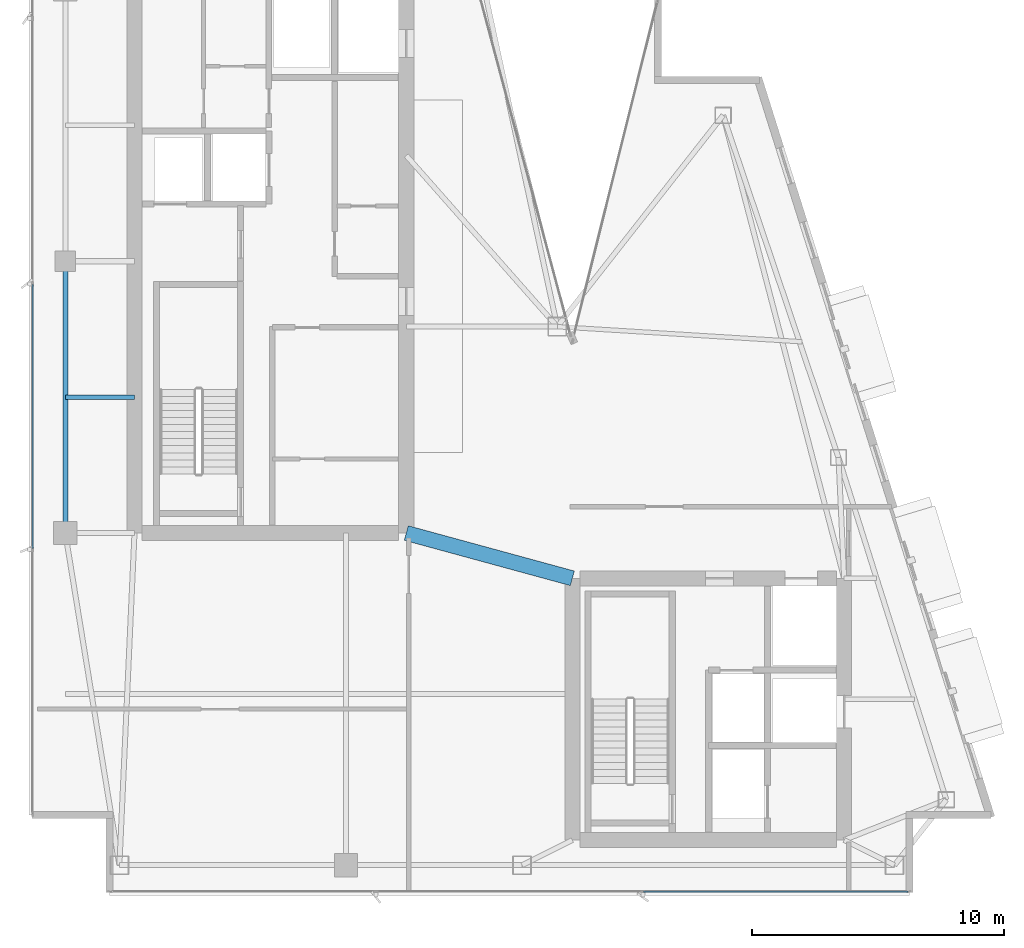
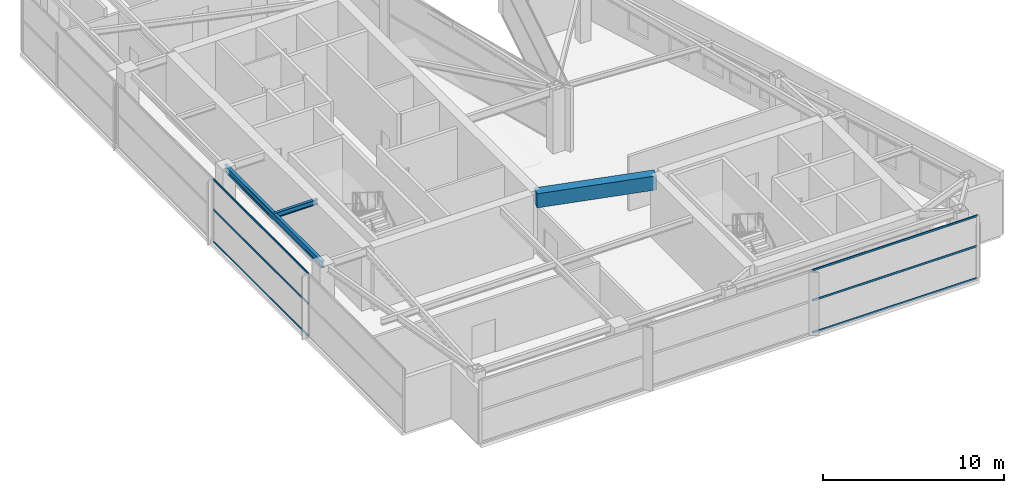
# One storey, part 8 of 25: 6 members, 3 beams, 2 elements without a shape of their own.
"""IFC4 building model written with IfcOpenShell, lengths in metres."""

from ifc_helpers import new_model, si_unit, direction, frame, origin, origin_2d, place, context, subcontext, project, spatial, rectangle, hollow_rectangle, i_section, extrude, material, layer, layer_set, material_profile, profile_set, type_object, element, aggregate, save


model = new_model("IFC4")

# Units and contexts
model_context = context("Model", 3, precision=1e-05, world=origin(), true_north=direction((0.0, 1.0)))
body_context = subcontext(model_context, "Body", "Model", "MODEL_VIEW")
ifc_project = project(units=[si_unit("LENGTHUNIT", "METRE"), si_unit("AREAUNIT", "SQUARE_METRE"), si_unit("VOLUMEUNIT", "CUBIC_METRE"), si_unit("PLANEANGLEUNIT", "RADIAN"), si_unit("MASSUNIT", "GRAM", prefix="KILO")], contexts=[model_context])

# Site, building, storey
site_placement = place(None, origin())
site = spatial("IfcSite", under=ifc_project, at=site_placement, CompositionType="ELEMENT")
building_placement = place(site_placement, origin())
building = spatial("IfcBuilding", under=site, at=building_placement, Name="Calvorn Quay Hotel", CompositionType="ELEMENT")
storey_placement = place(building_placement, frame((0.0, 0.0, 311.5)))
storey = spatial("IfcBuildingStorey", under=building, at=storey_placement, Name="L77", CompositionType="ELEMENT", Elevation=311.5)

# Beams
ifc_material_1 = material(Name="Steel Q355B", Category="steel")
ifc_material_profile_1 = material_profile(ifc_material_1, i_section(OverallWidth=0.175048828125, OverallDepth=0.35009765625, WebThickness=0.007080078125, FlangeThickness=0.010986328125, FilletRadius=0.013916015625, at=origin_2d()), Name="HN350x175x7x11")
ifc_profile_set_1 = profile_set([ifc_material_profile_1], Name="Steel Q355B")
beam_type_1 = type_object("IfcBeamType", Name="BM-JOIST-SEC", PredefinedType="JOIST", material=ifc_profile_set_1)
beam_1_placement = place(storey_placement, frame((1.449951171875, 22.199951171875, 4.06494140625), z_axis=(1.0, 0.0, 0.0), x_axis=(0.0, 1.0, 0.0)))
element("IfcBeam", 1, at=beam_1_placement, inside=storey, type_object=beam_type_1, Name="Beam BJ-L77-W3", PredefinedType="JOIST", context=body_context, shape_type="SweptSolid", body=[
    extrude(i_section(OverallWidth=0.175048828125, OverallDepth=0.35009765625, WebThickness=0.007080078125, FlangeThickness=0.010986328125, FilletRadius=0.013916015625, at=origin_2d()), origin(), (0.0, 0.0, 1.0), 2.75),
])
ifc_material_2 = material(Name="Concrete C45", Category="concrete")
ifc_material_profile_2 = material_profile(ifc_material_2, rectangle(XDim=0.60009765625, YDim=0.949951171875, at=origin_2d()), Name="RCB600x950")
ifc_profile_set_2 = profile_set([ifc_material_profile_2], Name="Concrete C45")
beam_type_2 = type_object("IfcBeamType", Name="BM-RC-LINK-600x950", PredefinedType="BEAM", material=ifc_profile_set_2)
beam_2_placement = place(storey_placement, frame((15.0, 16.800048828125, 3.764892578125), z_axis=(0.964762997686, -0.263120425462, 0.0), x_axis=(0.263120425462, 0.964762997686, 0.0)))
element("IfcBeam", 2, at=beam_2_placement, inside=storey, type_object=beam_type_2, Name="Beam BCL-L77-01", PredefinedType="BEAM", context=body_context, shape_type="SweptSolid", body=[
    extrude(rectangle(XDim=0.60009765625, YDim=0.949951171875, at=origin_2d()), origin(), (0.0, 0.0, 1.0), 6.841064453125),
])
ifc_material_3 = material(Name="Steel Q355B", Category="steel")
ifc_material_profile_3 = material_profile(ifc_material_3, i_section(OverallWidth=0.199951171875, OverallDepth=0.449951171875, WebThickness=0.009033203125, FlangeThickness=0.013916015625, FilletRadius=0.01611328125, at=origin_2d()), Name="HN450x200x9x14")
ifc_profile_set_3 = profile_set([ifc_material_profile_3], Name="Steel Q355B")
beam_type_3 = type_object("IfcBeamType", Name="BM-SPANDREL-Z3", PredefinedType="SPANDREL", material=ifc_profile_set_3)
beam_3_placement = place(storey_placement, frame((1.449951171875, 16.800048828125, 4.014892578125), z_axis=(0.0, 1.0, 0.0), x_axis=(-1.0, 0.0, 0.0)))
element("IfcBeam", 3, at=beam_3_placement, inside=storey, type_object=beam_type_3, Name="Beam BSP-L77-W2", PredefinedType="SPANDREL", context=body_context, shape_type="SweptSolid", body=[
    extrude(i_section(OverallWidth=0.199951171875, OverallDepth=0.449951171875, WebThickness=0.009033203125, FlangeThickness=0.013916015625, FilletRadius=0.01611328125, at=origin_2d()), origin(), (0.0, 0.0, 1.0), 10.800048828125),
])

# Curtain wall, members
ifc_material_4 = material(Name="Champagne Bronze Anodised Aluminium and Low-E Glass", Category="aluminium")
ifc_layer = layer(ifc_material_4, 0.219970703125)
ifc_layer_set = layer_set([ifc_layer], Name="CW-SYS-Z4")
curtain_wall_type = type_object("IfcCurtainWallType", Name="CW-SYS-Z4", PredefinedType="NOTDEFINED", material=ifc_layer_set)
curtain_wall_1_placement = place(storey_placement, origin())
curtain_wall_1 = element("IfcCurtainWall", 4, at=curtain_wall_1_placement, inside=storey, type_object=curtain_wall_type, Name="Tower West Curtain Wall (L77)", PredefinedType="NOTDEFINED")
ifc_material_5 = material(Name="Champagne Bronze Anodised Aluminium 6063-T6", Category="aluminium")
ifc_material_profile_4 = material_profile(ifc_material_5, hollow_rectangle(XDim=0.054931640625, YDim=0.1298828125, WallThickness=0.003173828125, at=origin_2d()), Name="ALU-T130x55x3.2")
ifc_profile_set_4 = profile_set([ifc_material_profile_4], Name="Champagne Bronze Anodised Aluminium 6063-T6")
member_type = type_object("IfcMemberType", Name="CW-SYS-Z4-TRN", PredefinedType="USERDEFINED", material=ifc_profile_set_4)
member_1_placement = place(storey_placement, frame((0.14990234375, 16.179931640625, 0.030029296875), z_axis=(0.0, 1.0, 0.0), x_axis=(-1.0, 0.0, 0.0)))
member_1 = element("IfcMember", 5, at=member_1_placement, type_object=member_type, Name="CW-L77-W transom 2.1", ObjectType="TRANSOM", PredefinedType="USERDEFINED", context=body_context, shape_type="SweptSolid", body=[
    extrude(hollow_rectangle(XDim=0.054931640625, YDim=0.1298828125, WallThickness=0.003173828125, at=origin_2d()), origin(), (0.0, 0.0, 1.0), 10.489990234375),
])
member_2_placement = place(storey_placement, frame((0.14990234375, 16.179931640625, 2.199951171875), z_axis=(0.0, 1.0, 0.0), x_axis=(-1.0, 0.0, 0.0)))
member_2 = element("IfcMember", 6, at=member_2_placement, type_object=member_type, Name="CW-L77-W transom 2.2", ObjectType="TRANSOM", PredefinedType="USERDEFINED", context=body_context, shape_type="SweptSolid", body=[
    extrude(hollow_rectangle(XDim=0.054931640625, YDim=0.1298828125, WallThickness=0.003173828125, at=origin_2d()), origin(), (0.0, 0.0, 1.0), 10.489990234375),
])
member_3_placement = place(storey_placement, frame((0.14990234375, 16.179931640625, 4.22998046875), z_axis=(0.0, 1.0, 0.0), x_axis=(-1.0, 0.0, 0.0)))
member_3 = element("IfcMember", 7, at=member_3_placement, type_object=member_type, Name="CW-L77-W transom 2.3", ObjectType="TRANSOM", PredefinedType="USERDEFINED", context=body_context, shape_type="SweptSolid", body=[
    extrude(hollow_rectangle(XDim=0.054931640625, YDim=0.1298828125, WallThickness=0.003173828125, at=origin_2d()), origin(), (0.0, 0.0, 1.0), 10.489990234375),
])
aggregate(curtain_wall_1, [member_1, member_2, member_3])

curtain_wall_2_placement = place(storey_placement, origin())
curtain_wall_2 = element("IfcCurtainWall", 8, at=curtain_wall_2_placement, inside=storey, type_object=curtain_wall_type, Name="Tower South Waterfront Curtain Wall (L77)", PredefinedType="NOTDEFINED")
member_4_placement = place(storey_placement, frame((24.429931640625, 2.550048828125, 0.030029296875), z_axis=(1.0, 0.0, 0.0), x_axis=(0.0, 1.0, 0.0)))
member_4 = element("IfcMember", 9, at=member_4_placement, type_object=member_type, Name="CW-L77-S transom 3.1", ObjectType="TRANSOM", PredefinedType="USERDEFINED", context=body_context, shape_type="SweptSolid", body=[
    extrude(hollow_rectangle(XDim=0.054931640625, YDim=0.1298828125, WallThickness=0.003173828125, at=origin_2d()), origin(), (0.0, 0.0, 1.0), 10.510009765625),
])
member_5_placement = place(storey_placement, frame((24.429931640625, 2.550048828125, 2.199951171875), z_axis=(1.0, 0.0, 0.0), x_axis=(0.0, 1.0, 0.0)))
member_5 = element("IfcMember", 10, at=member_5_placement, type_object=member_type, Name="CW-L77-S transom 3.2", ObjectType="TRANSOM", PredefinedType="USERDEFINED", context=body_context, shape_type="SweptSolid", body=[
    extrude(hollow_rectangle(XDim=0.054931640625, YDim=0.1298828125, WallThickness=0.003173828125, at=origin_2d()), origin(), (0.0, 0.0, 1.0), 10.510009765625),
])
member_6_placement = place(storey_placement, frame((24.429931640625, 2.550048828125, 4.22998046875), z_axis=(1.0, 0.0, 0.0), x_axis=(0.0, 1.0, 0.0)))
member_6 = element("IfcMember", 11, at=member_6_placement, type_object=member_type, Name="CW-L77-S transom 3.3", ObjectType="TRANSOM", PredefinedType="USERDEFINED", context=body_context, shape_type="SweptSolid", body=[
    extrude(hollow_rectangle(XDim=0.054931640625, YDim=0.1298828125, WallThickness=0.003173828125, at=origin_2d()), origin(), (0.0, 0.0, 1.0), 10.510009765625),
])
aggregate(curtain_wall_2, [member_4, member_5, member_6])

save(model, "model.ifc")
